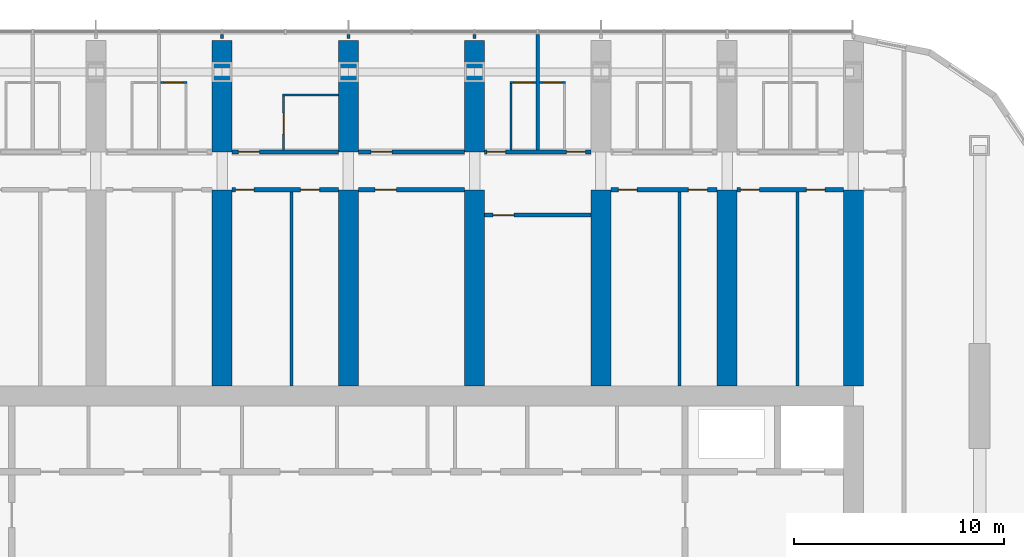
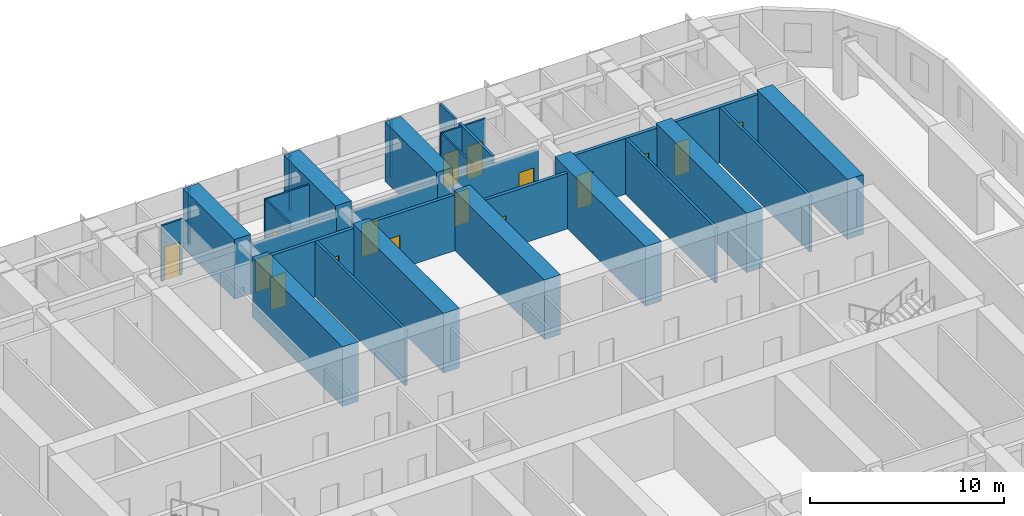
# One storey, part 15 of 22: 30 walls, 16 doors, 16 openings.
"""IFC4 building model written with IfcOpenShell, lengths in metres."""

from ifc_helpers import new_model, si_unit, direction, frame, frame_2d, origin, place, context, subcontext, project, spatial, polyline, rectangle, outline, extrude, material, layer, layer_set, type_object, element, fill, save


model = new_model("IFC4")

# Units and contexts
model_context = context("Model", 3, precision=1e-05, world=origin(), true_north=direction((0.0, 1.0)))
body_context = subcontext(model_context, "Body", "Model", "MODEL_VIEW")
ifc_project = project(units=[si_unit("LENGTHUNIT", "METRE"), si_unit("AREAUNIT", "SQUARE_METRE"), si_unit("VOLUMEUNIT", "CUBIC_METRE"), si_unit("PLANEANGLEUNIT", "RADIAN"), si_unit("MASSUNIT", "GRAM", prefix="KILO")], contexts=[model_context])

# Site, building, storey
site_placement = place(None, origin())
site = spatial("IfcSite", under=ifc_project, at=site_placement, CompositionType="ELEMENT")
building_placement = place(site_placement, origin())
building = spatial("IfcBuilding", under=site, at=building_placement, Name="Orbita Commons", CompositionType="ELEMENT")
storey_placement = place(building_placement, frame((0.0, 0.0, 118.14990234375)))
storey = spatial("IfcBuildingStorey", under=building, at=storey_placement, Name="L29", CompositionType="ELEMENT", Elevation=118.14990234375)

# Wall, opening, door
ifc_material_1 = material(Name="Concrete blockwork", Category="masonry")
ifc_layer_1 = layer(ifc_material_1, 0.199951171875)
ifc_layer_set_1 = layer_set([ifc_layer_1], Name="Concrete blockwork")
wall_type_1 = type_object("IfcWallType", Name="Corridor wall 200 blockwork", PredefinedType="SOLIDWALL", material=ifc_layer_set_1)
wall_1_placement = place(storey_placement, frame((36.47509765625, 49.800048828125, 0.0), z_axis=(0.0, 0.0, 1.0), x_axis=(1.0, 0.0, 0.0)))
wall_1 = element("IfcWall", 1, at=wall_1_placement, inside=storey, type_object=wall_type_1, Name="Corridor wall 200 blockwork L29", PredefinedType="SOLIDWALL", context=body_context, shape_type="SweptSolid", body=[
    extrude(outline(polyline([(0.0, 0.0), (5.0498046875, 0.0), (5.050048828125, 3.10009765625), (0.0, 3.10009765625), (0.0, 0.0)])), frame((0.0, 0.10009765625, 0.0), z_axis=(0.0, -1.0, 0.0), x_axis=(1.0, 0.0, 0.0)), (0.0, 0.0, 1.0), 0.199951171875),
])
opening_1_placement = place(wall_1_placement, frame((0.300048828125, 0.0, 0.0)))
opening_1 = element("IfcOpeningElement", 2, at=opening_1_placement, cuts=wall_1, Name="Opening D06", PredefinedType="OPENING", context=body_context, shape_type="SweptSolid", body=[
    extrude(rectangle(XDim=1.0, YDim=2.10009765625, at=frame_2d((0.5, 1.050048828125))), frame((0.0, 0.10986328125, 0.0), z_axis=(0.0, -1.0, 0.0), x_axis=(1.0, 0.0, 0.0)), (0.0, 0.0, 1.0), 0.219970703125),
])
ifc_material_2 = material(Name="Steel-faced fire door leaf", Category="steel")
door_type_1 = type_object("IfcDoorType", Name="Corridor door 20 min 1000x2100", OperationType="SINGLE_SWING_LEFT", PredefinedType="DOOR", material=ifc_material_2)
door_1_placement = place(opening_1_placement, origin())
door_1 = element("IfcDoor", 3, at=door_1_placement, inside=storey, type_object=door_type_1, Name="Accessible bedroom L29-N08 door", OperationType="SINGLE_SWING_LEFT", OverallHeight=2.10009765625, OverallWidth=1.0, PredefinedType="DOOR", context=body_context, shape_type="SweptSolid", body=[
    extrude(rectangle(XDim=1.0, YDim=2.10009765625, at=frame_2d((0.5, 1.050048828125))), frame((0.0, 0.02490234375, 0.0), z_axis=(0.0, -1.0, 0.0), x_axis=(1.0, 0.0, 0.0)), (0.0, 0.0, 1.0), 0.050048828125),
])
fill(opening_1, door_1)

wall_2_placement = place(storey_placement, frame((42.47509765625, 49.800048828125, 0.0), z_axis=(0.0, 0.0, 1.0), x_axis=(1.0, 0.0, 0.0)))
wall_2 = element("IfcWall", 4, at=wall_2_placement, inside=storey, type_object=wall_type_1, Name="Corridor wall 200 blockwork L29", PredefinedType="SOLIDWALL", context=body_context, shape_type="SweptSolid", body=[
    extrude(outline(polyline([(0.0, 0.0), (5.0498046875, 0.0), (5.050048828125, 3.10009765625), (0.0, 3.10009765625), (0.0, 0.0)])), frame((0.0, 0.10009765625, 0.0), z_axis=(0.0, -1.0, 0.0), x_axis=(1.0, 0.0, 0.0)), (0.0, 0.0, 1.0), 0.199951171875),
])
opening_2_placement = place(wall_2_placement, frame((0.60009765625, 0.0, 0.0)))
opening_2 = element("IfcOpeningElement", 5, at=opening_2_placement, cuts=wall_2, Name="Opening D06", PredefinedType="OPENING", context=body_context, shape_type="SweptSolid", body=[
    extrude(rectangle(XDim=1.0, YDim=2.10009765625, at=frame_2d((0.5, 1.050048828125))), frame((0.0, 0.10986328125, 0.0), z_axis=(0.0, -1.0, 0.0), x_axis=(1.0, 0.0, 0.0)), (0.0, 0.0, 1.0), 0.219970703125),
])
door_2_placement = place(opening_2_placement, origin())
door_2 = element("IfcDoor", 6, at=door_2_placement, inside=storey, type_object=door_type_1, Name="Cluster kitchen-diner L29-N10 door", OperationType="SINGLE_SWING_LEFT", OverallHeight=2.10009765625, OverallWidth=1.0, PredefinedType="DOOR", context=body_context, shape_type="SweptSolid", body=[
    extrude(rectangle(XDim=1.0, YDim=2.10009765625, at=frame_2d((0.5, 1.050048828125))), frame((0.0, 0.02490234375, 0.0), z_axis=(0.0, -1.0, 0.0), x_axis=(1.0, 0.0, 0.0)), (0.0, 0.0, 1.0), 0.050048828125),
])
fill(opening_2, door_2)

# Wall, openings, doors
wall_3_placement = place(storey_placement, frame((48.47509765625, 49.800048828125, 0.0), z_axis=(0.0, 0.0, 1.0), x_axis=(1.0, 0.0, 0.0)))
wall_3 = element("IfcWall", 7, at=wall_3_placement, inside=storey, type_object=wall_type_1, Name="Corridor wall 200 blockwork L29", PredefinedType="SOLIDWALL", context=body_context, shape_type="SweptSolid", body=[
    extrude(outline(polyline([(0.0, 0.0), (5.0498046875, 0.0), (5.050048828125, 3.10009765625), (0.0, 3.10009765625), (0.0, 0.0)])), frame((0.0, 0.10009765625, 0.0), z_axis=(0.0, -1.0, 0.0), x_axis=(1.0, 0.0, 0.0)), (0.0, 0.0, 1.0), 0.199951171875),
])
opening_3_placement = place(wall_3_placement, frame((0.10009765625, 0.0, 0.0)))
opening_3 = element("IfcOpeningElement", 8, at=opening_3_placement, cuts=wall_3, Name="Opening D11", PredefinedType="OPENING", context=body_context, shape_type="SweptSolid", body=[
    extrude(rectangle(XDim=0.89990234375, YDim=2.10009765625, at=frame_2d((0.449951171875, 1.050048828125))), frame((0.0, 0.10986328125, 0.0), z_axis=(0.0, -1.0, 0.0), x_axis=(1.0, 0.0, 0.0)), (0.0, 0.0, 1.0), 0.219970703125),
])
opening_4_placement = place(wall_3_placement, frame((3.89990234375, 0.0, 0.0)))
opening_4 = element("IfcOpeningElement", 9, at=opening_4_placement, cuts=wall_3, Name="Opening D11", PredefinedType="OPENING", context=body_context, shape_type="SweptSolid", body=[
    extrude(rectangle(XDim=0.89990234375, YDim=2.10009765625, at=frame_2d((0.449951171875, 1.050048828125))), frame((0.0, 0.10986328125, 0.0), z_axis=(0.0, -1.0, 0.0), x_axis=(1.0, 0.0, 0.0)), (0.0, 0.0, 1.0), 0.219970703125),
])
ifc_material_3 = material(Name="Steel-faced fire door leaf", Category="steel")
door_type_2 = type_object("IfcDoorType", Name="Corridor door 20 min 900x2100", OperationType="SINGLE_SWING_LEFT", PredefinedType="DOOR", material=ifc_material_3)
door_3_placement = place(opening_3_placement, origin())
door_3 = element("IfcDoor", 10, at=door_3_placement, inside=storey, type_object=door_type_2, Name="Cluster bedroom L29-N12 door", OperationType="SINGLE_SWING_LEFT", OverallHeight=2.10009765625, OverallWidth=0.89990234375, PredefinedType="DOOR", context=body_context, shape_type="SweptSolid", body=[
    extrude(rectangle(XDim=0.89990234375, YDim=2.10009765625, at=frame_2d((0.449951171875, 1.050048828125))), frame((0.0, 0.02490234375, 0.0), z_axis=(0.0, -1.0, 0.0), x_axis=(1.0, 0.0, 0.0)), (0.0, 0.0, 1.0), 0.050048828125),
])
fill(opening_3, door_3)
door_4_placement = place(opening_4_placement, origin())
door_4 = element("IfcDoor", 11, at=door_4_placement, inside=storey, type_object=door_type_2, Name="Cluster bedroom L29-N13 door", OperationType="SINGLE_SWING_LEFT", OverallHeight=2.10009765625, OverallWidth=0.89990234375, PredefinedType="DOOR", context=body_context, shape_type="SweptSolid", body=[
    extrude(rectangle(XDim=0.89990234375, YDim=2.10009765625, at=frame_2d((0.449951171875, 1.050048828125))), frame((0.0, 0.02490234375, 0.0), z_axis=(0.0, -1.0, 0.0), x_axis=(1.0, 0.0, 0.0)), (0.0, 0.0, 1.0), 0.050048828125),
])
fill(opening_4, door_4)

ifc_material_4 = material(Name="Hollow concrete block 200", Category="concrete")
ifc_layer_2 = layer(ifc_material_4, 0.199951171875)
ifc_layer_set_2 = layer_set([ifc_layer_2], Name="Hollow concrete block 200")
wall_type_2 = type_object("IfcWallType", Name="Corridor wall 200 hollow concrete block", PredefinedType="SOLIDWALL", material=ifc_layer_set_2)
wall_4_placement = place(storey_placement, frame((36.47509765625, 48.0, 0.0), z_axis=(0.0, 0.0, 1.0), x_axis=(1.0, 0.0, 0.0)))
wall_4 = element("IfcWall", 12, at=wall_4_placement, inside=storey, type_object=wall_type_2, Name="Corridor wall 200 hollow concrete block L29", PredefinedType="SOLIDWALL", context=body_context, shape_type="SweptSolid", body=[
    extrude(rectangle(XDim=5.0498046875, YDim=0.199951171875, at=frame_2d((2.52490234375, 0.0))), origin(), (0.0, 0.0, 1.0), 3.5),
])
opening_5_placement = place(wall_4_placement, frame((0.14990234375, 0.0, 0.0)))
opening_5 = element("IfcOpeningElement", 13, at=opening_5_placement, cuts=wall_4, Name="Opening D11", PredefinedType="OPENING", context=body_context, shape_type="SweptSolid", body=[
    extrude(rectangle(XDim=0.89990234375, YDim=2.10009765625, at=frame_2d((0.449951171875, 1.050048828125))), frame((0.0, 0.10986328125, 0.0), z_axis=(0.0, -1.0, 0.0), x_axis=(1.0, 0.0, 0.0)), (0.0, 0.0, 1.0), 0.219970703125),
])
opening_6_placement = place(wall_4_placement, frame((3.2548828125, 0.0, 0.0)))
opening_6 = element("IfcOpeningElement", 14, at=opening_6_placement, cuts=wall_4, Name="Opening D11", PredefinedType="OPENING", context=body_context, shape_type="SweptSolid", body=[
    extrude(rectangle(XDim=0.89990234375, YDim=2.10009765625, at=frame_2d((0.449951171875, 1.050048828125))), frame((0.0, 0.10986328125, 0.0), z_axis=(0.0, -1.0, 0.0), x_axis=(1.0, 0.0, 0.0)), (0.0, 0.0, 1.0), 0.219970703125),
])
door_5_placement = place(opening_5_placement, origin())
door_5 = element("IfcDoor", 15, at=door_5_placement, inside=storey, type_object=door_type_2, Name="Electrical and data room L29-BDN36 door", OperationType="SINGLE_SWING_LEFT", OverallHeight=2.10009765625, OverallWidth=0.89990234375, PredefinedType="DOOR", context=body_context, shape_type="SweptSolid", body=[
    extrude(rectangle(XDim=0.89990234375, YDim=2.10009765625, at=frame_2d((0.449951171875, 1.050048828125))), frame((0.0, 0.02490234375, 0.0), z_axis=(0.0, -1.0, 0.0), x_axis=(1.0, 0.0, 0.0)), (0.0, 0.0, 1.0), 0.050048828125),
])
fill(opening_5, door_5)
door_6_placement = place(opening_6_placement, origin())
door_6 = element("IfcDoor", 16, at=door_6_placement, inside=storey, type_object=door_type_2, Name="Water heater cupboard L29-BDN36n door", OperationType="SINGLE_SWING_LEFT", OverallHeight=2.10009765625, OverallWidth=0.89990234375, PredefinedType="DOOR", context=body_context, shape_type="SweptSolid", body=[
    extrude(rectangle(XDim=0.89990234375, YDim=2.10009765625, at=frame_2d((0.449951171875, 1.050048828125))), frame((0.0, 0.02490234375, 0.0), z_axis=(0.0, -1.0, 0.0), x_axis=(1.0, 0.0, 0.0)), (0.0, 0.0, 1.0), 0.050048828125),
])
fill(opening_6, door_6)

# Wall, opening, door
wall_5_placement = place(storey_placement, frame((42.47509765625, 48.0, 0.0), z_axis=(0.0, 0.0, 1.0), x_axis=(1.0, 0.0, 0.0)))
wall_5 = element("IfcWall", 17, at=wall_5_placement, inside=storey, type_object=wall_type_2, Name="Corridor wall 200 hollow concrete block L29", PredefinedType="SOLIDWALL", context=body_context, shape_type="SweptSolid", body=[
    extrude(rectangle(XDim=5.0498046875, YDim=0.199951171875, at=frame_2d((2.52490234375, 0.0))), origin(), (0.0, 0.0, 1.0), 3.5),
])
opening_7_placement = place(wall_5_placement, frame((0.800048828125, 0.0, 0.0)))
opening_7 = element("IfcOpeningElement", 18, at=opening_7_placement, cuts=wall_5, Name="Opening D06", PredefinedType="OPENING", context=body_context, shape_type="SweptSolid", body=[
    extrude(rectangle(XDim=1.0, YDim=2.10009765625, at=frame_2d((0.5, 1.050048828125))), frame((0.0, 0.10986328125, 0.0), z_axis=(0.0, -1.0, 0.0), x_axis=(1.0, 0.0, 0.0)), (0.0, 0.0, 1.0), 0.219970703125),
])
door_7_placement = place(opening_7_placement, origin())
door_7 = element("IfcDoor", 19, at=door_7_placement, inside=storey, type_object=door_type_1, Name="Storage lockers L29-BDN42 door", OperationType="SINGLE_SWING_LEFT", OverallHeight=2.10009765625, OverallWidth=1.0, PredefinedType="DOOR", context=body_context, shape_type="SweptSolid", body=[
    extrude(rectangle(XDim=1.0, YDim=2.10009765625, at=frame_2d((0.5, 1.050048828125))), frame((0.0, 0.02490234375, 0.0), z_axis=(0.0, -1.0, 0.0), x_axis=(1.0, 0.0, 0.0)), (0.0, 0.0, 1.0), 0.050048828125),
])
fill(opening_7, door_7)

# Wall, openings, doors
wall_6_placement = place(storey_placement, frame((54.47509765625, 48.0, 0.0), z_axis=(0.0, 0.0, 1.0), x_axis=(1.0, 0.0, 0.0)))
wall_6 = element("IfcWall", 20, at=wall_6_placement, inside=storey, type_object=wall_type_2, Name="Corridor wall 200 hollow concrete block L29", PredefinedType="SOLIDWALL", context=body_context, shape_type="SweptSolid", body=[
    extrude(rectangle(XDim=5.0498046875, YDim=0.199951171875, at=frame_2d((2.52490234375, 0.0))), origin(), (0.0, 0.0, 1.0), 3.5),
])
opening_8_placement = place(wall_6_placement, frame((0.35009765625, 0.0, 0.0)))
opening_8 = element("IfcOpeningElement", 21, at=opening_8_placement, cuts=wall_6, Name="Opening D11", PredefinedType="OPENING", context=body_context, shape_type="SweptSolid", body=[
    extrude(rectangle(XDim=0.89990234375, YDim=2.10009765625, at=frame_2d((0.449951171875, 1.050048828125))), frame((0.0, 0.10986328125, 0.0), z_axis=(0.0, -1.0, 0.0), x_axis=(1.0, 0.0, 0.0)), (0.0, 0.0, 1.0), 0.219970703125),
])
opening_9_placement = place(wall_6_placement, frame((3.68505859375, 0.0, 0.0)))
opening_9 = element("IfcOpeningElement", 22, at=opening_9_placement, cuts=wall_6, Name="Opening D11", PredefinedType="OPENING", context=body_context, shape_type="SweptSolid", body=[
    extrude(rectangle(XDim=0.89990234375, YDim=2.10009765625, at=frame_2d((0.449951171875, 1.050048828125))), frame((0.0, 0.10986328125, 0.0), z_axis=(0.0, -1.0, 0.0), x_axis=(1.0, 0.0, 0.0)), (0.0, 0.0, 1.0), 0.219970703125),
])
door_8_placement = place(opening_8_placement, origin())
door_8 = element("IfcDoor", 23, at=door_8_placement, inside=storey, type_object=door_type_2, Name="Ventilation plant room north L29-BDN54 door", OperationType="SINGLE_SWING_LEFT", OverallHeight=2.10009765625, OverallWidth=0.89990234375, PredefinedType="DOOR", context=body_context, shape_type="SweptSolid", body=[
    extrude(rectangle(XDim=0.89990234375, YDim=2.10009765625, at=frame_2d((0.449951171875, 1.050048828125))), frame((0.0, 0.02490234375, 0.0), z_axis=(0.0, -1.0, 0.0), x_axis=(1.0, 0.0, 0.0)), (0.0, 0.0, 1.0), 0.050048828125),
])
fill(opening_8, door_8)
door_9_placement = place(opening_9_placement, origin())
door_9 = element("IfcDoor", 24, at=door_9_placement, inside=storey, type_object=door_type_2, Name="Battery and UPS room L29-BDN54n door", OperationType="SINGLE_SWING_LEFT", OverallHeight=2.10009765625, OverallWidth=0.89990234375, PredefinedType="DOOR", context=body_context, shape_type="SweptSolid", body=[
    extrude(rectangle(XDim=0.89990234375, YDim=2.10009765625, at=frame_2d((0.449951171875, 1.050048828125))), frame((0.0, 0.02490234375, 0.0), z_axis=(0.0, -1.0, 0.0), x_axis=(1.0, 0.0, 0.0)), (0.0, 0.0, 1.0), 0.050048828125),
])
fill(opening_9, door_9)

wall_7_placement = place(storey_placement, frame((60.47509765625, 48.0, 0.0), z_axis=(0.0, 0.0, 1.0), x_axis=(1.0, 0.0, 0.0)))
wall_7 = element("IfcWall", 25, at=wall_7_placement, inside=storey, type_object=wall_type_2, Name="Corridor wall 200 hollow concrete block L29", PredefinedType="SOLIDWALL", context=body_context, shape_type="SweptSolid", body=[
    extrude(rectangle(XDim=5.0498046875, YDim=0.199951171875, at=frame_2d((2.52490234375, 0.0))), origin(), (0.0, 0.0, 1.0), 3.5),
])
opening_10_placement = place(wall_7_placement, frame((0.14990234375, 0.0, 0.0)))
opening_10 = element("IfcOpeningElement", 26, at=opening_10_placement, cuts=wall_7, Name="Opening D11", PredefinedType="OPENING", context=body_context, shape_type="SweptSolid", body=[
    extrude(rectangle(XDim=0.89990234375, YDim=2.10009765625, at=frame_2d((0.449951171875, 1.050048828125))), frame((0.0, 0.10986328125, 0.0), z_axis=(0.0, -1.0, 0.0), x_axis=(1.0, 0.0, 0.0)), (0.0, 0.0, 1.0), 0.219970703125),
])
opening_11_placement = place(wall_7_placement, frame((3.284912109375, 0.0, 0.0)))
opening_11 = element("IfcOpeningElement", 27, at=opening_11_placement, cuts=wall_7, Name="Opening D11", PredefinedType="OPENING", context=body_context, shape_type="SweptSolid", body=[
    extrude(rectangle(XDim=0.89990234375, YDim=2.10009765625, at=frame_2d((0.449951171875, 1.050048828125))), frame((0.0, 0.10986328125, 0.0), z_axis=(0.0, -1.0, 0.0), x_axis=(1.0, 0.0, 0.0)), (0.0, 0.0, 1.0), 0.219970703125),
])
door_10_placement = place(opening_10_placement, origin())
door_10 = element("IfcDoor", 28, at=door_10_placement, inside=storey, type_object=door_type_2, Name="Parcel and post room L29-BDN60 door", OperationType="SINGLE_SWING_LEFT", OverallHeight=2.10009765625, OverallWidth=0.89990234375, PredefinedType="DOOR", context=body_context, shape_type="SweptSolid", body=[
    extrude(rectangle(XDim=0.89990234375, YDim=2.10009765625, at=frame_2d((0.449951171875, 1.050048828125))), frame((0.0, 0.02490234375, 0.0), z_axis=(0.0, -1.0, 0.0), x_axis=(1.0, 0.0, 0.0)), (0.0, 0.0, 1.0), 0.050048828125),
])
fill(opening_10, door_10)
door_11_placement = place(opening_11_placement, origin())
door_11 = element("IfcDoor", 29, at=door_11_placement, inside=storey, type_object=door_type_2, Name="Sprinkler valve room L29-BDN60n door", OperationType="SINGLE_SWING_LEFT", OverallHeight=2.10009765625, OverallWidth=0.89990234375, PredefinedType="DOOR", context=body_context, shape_type="SweptSolid", body=[
    extrude(rectangle(XDim=0.89990234375, YDim=2.10009765625, at=frame_2d((0.449951171875, 1.050048828125))), frame((0.0, 0.02490234375, 0.0), z_axis=(0.0, -1.0, 0.0), x_axis=(1.0, 0.0, 0.0)), (0.0, 0.0, 1.0), 0.050048828125),
])
fill(opening_11, door_11)

# Wall, opening, door
wall_8_placement = place(storey_placement, frame((48.47509765625, 46.800048828125, 0.0), z_axis=(0.0, 0.0, 1.0), x_axis=(1.0, 0.0, 0.0)))
wall_8 = element("IfcWall", 30, at=wall_8_placement, inside=storey, type_object=wall_type_2, Name="Corridor wall 200 hollow concrete block L29", PredefinedType="SOLIDWALL", context=body_context, shape_type="SweptSolid", body=[
    extrude(rectangle(XDim=5.0498046875, YDim=0.199951171875, at=frame_2d((2.52490234375, 0.0))), origin(), (0.0, 0.0, 1.0), 3.5),
])
opening_12_placement = place(wall_8_placement, frame((0.39990234375, 0.0, 0.0)))
opening_12 = element("IfcOpeningElement", 31, at=opening_12_placement, cuts=wall_8, Name="Opening D06", PredefinedType="OPENING", context=body_context, shape_type="SweptSolid", body=[
    extrude(rectangle(XDim=1.0, YDim=2.10009765625, at=frame_2d((0.5, 1.050048828125))), frame((0.0, 0.10986328125, 0.0), z_axis=(0.0, -1.0, 0.0), x_axis=(1.0, 0.0, 0.0)), (0.0, 0.0, 1.0), 0.219970703125),
])
door_12_placement = place(opening_12_placement, origin())
door_12 = element("IfcDoor", 32, at=door_12_placement, inside=storey, type_object=door_type_1, Name="Store L29-BDN48 door", OperationType="SINGLE_SWING_LEFT", OverallHeight=2.10009765625, OverallWidth=1.0, PredefinedType="DOOR", context=body_context, shape_type="SweptSolid", body=[
    extrude(rectangle(XDim=1.0, YDim=2.10009765625, at=frame_2d((0.5, 1.050048828125))), frame((0.0, 0.02490234375, 0.0), z_axis=(0.0, -1.0, 0.0), x_axis=(1.0, 0.0, 0.0)), (0.0, 0.0, 1.0), 0.050048828125),
])
fill(opening_12, door_12)

# Walls
ifc_material_5 = material(Name="Concrete C50/60", Category="concrete")
ifc_layer_3 = layer(ifc_material_5, 0.949951171875)
ifc_layer_set_3 = layer_set([ifc_layer_3], Name="Concrete C50/60")
wall_type_3 = type_object("IfcWallType", Name="Cross wall 950 C50/60", PredefinedType="SHEAR", material=ifc_layer_set_3)
wall_9_placement = place(storey_placement, frame((36.0, 49.800048828125, 0.0), z_axis=(0.0, 0.0, 1.0), x_axis=(0.0, 1.0, 0.0)))
element("IfcWall", 33, at=wall_9_placement, inside=storey, type_object=wall_type_3, Name="Cross wall 7 north outer L29", PredefinedType="SHEAR", context=body_context, shape_type="SweptSolid", body=[
    extrude(rectangle(XDim=5.300048828125, YDim=0.949951171875, at=frame_2d((2.64990234375, 0.0))), origin(), (0.0, 0.0, 1.0), 3.75),
])
wall_10_placement = place(storey_placement, frame((36.0, 38.675048828125, 0.0), z_axis=(0.0, 0.0, 1.0), x_axis=(0.0, 1.0, 0.0)))
element("IfcWall", 34, at=wall_10_placement, inside=storey, type_object=wall_type_3, Name="Cross wall 7 north inner L29", PredefinedType="SHEAR", context=body_context, shape_type="SweptSolid", body=[
    extrude(rectangle(XDim=9.324951171875, YDim=0.949951171875, at=frame_2d((4.66259765625, 0.0))), origin(), (0.0, 0.0, 1.0), 3.75),
])
wall_11_placement = place(storey_placement, frame((42.0, 49.800048828125, 0.0), z_axis=(0.0, 0.0, 1.0), x_axis=(0.0, 1.0, 0.0)))
element("IfcWall", 35, at=wall_11_placement, inside=storey, type_object=wall_type_3, Name="Cross wall 8 north outer L29", PredefinedType="SHEAR", context=body_context, shape_type="SweptSolid", body=[
    extrude(rectangle(XDim=5.300048828125, YDim=0.949951171875, at=frame_2d((2.64990234375, 0.0))), origin(), (0.0, 0.0, 1.0), 3.75),
])
wall_12_placement = place(storey_placement, frame((42.0, 38.675048828125, 0.0), z_axis=(0.0, 0.0, 1.0), x_axis=(0.0, 1.0, 0.0)))
element("IfcWall", 36, at=wall_12_placement, inside=storey, type_object=wall_type_3, Name="Cross wall 8 north inner L29", PredefinedType="SHEAR", context=body_context, shape_type="SweptSolid", body=[
    extrude(rectangle(XDim=9.324951171875, YDim=0.949951171875, at=frame_2d((4.66259765625, 0.0))), origin(), (0.0, 0.0, 1.0), 3.75),
])
wall_13_placement = place(storey_placement, frame((48.0, 49.800048828125, 0.0), z_axis=(0.0, 0.0, 1.0), x_axis=(0.0, 1.0, 0.0)))
element("IfcWall", 37, at=wall_13_placement, inside=storey, type_object=wall_type_3, Name="Cross wall 9 north outer L29", PredefinedType="SHEAR", context=body_context, shape_type="SweptSolid", body=[
    extrude(rectangle(XDim=5.300048828125, YDim=0.949951171875, at=frame_2d((2.64990234375, 0.0))), origin(), (0.0, 0.0, 1.0), 3.75),
])
for number, where, z_axis, x_axis, name in (
    (38, (48.0, 38.675048828125, 0.0), (0.0, 0.0, 1.0), (0.0, 1.0, 0.0), "Cross wall 9 north inner L29"),
    (39, (54.0, 38.675048828125, 0.0), (0.0, 0.0, 1.0), (0.0, 1.0, 0.0), "Cross wall 10 north inner L29"),
    (40, (60.0, 38.675048828125, 0.0), (0.0, 0.0, 1.0), (0.0, 1.0, 0.0), "Cross wall 11 north inner L29"),
    (41, (66.0, 38.675048828125, 0.0), (0.0, 0.0, 1.0), (0.0, 1.0, 0.0), "Cross wall 12 north inner L29"),
):
    element("IfcWall", number, at=place(storey_placement, frame(where, z_axis=z_axis, x_axis=x_axis)), inside=storey, type_object=wall_type_3, Name=name, PredefinedType="SHEAR", context=body_context, shape_type="SweptSolid", body=[
        extrude(rectangle(XDim=9.324951171875, YDim=0.949951171875, at=frame_2d((4.66259765625, 0.0))), origin(), (0.0, 0.0, 1.0), 3.75),
    ])

# Wall, opening, door
ifc_material_6 = material(Name="Moisture-resistant plasterboard on steel studs", Category="steel")
ifc_layer_4 = layer(ifc_material_6, 0.10009765625)
ifc_layer_set_4 = layer_set([ifc_layer_4], Name="Moisture-resistant plasterboard on steel studs")
wall_type_4 = type_object("IfcWallType", Name="En-suite partition 100", PredefinedType="PARTITIONING", material=ifc_layer_set_4)
wall_14_placement = place(storey_placement, frame((33.074951171875, 53.10009765625, 0.0), z_axis=(0.0, 0.0, 1.0), x_axis=(1.0, 0.0, 0.0)))
wall_14 = element("IfcWall", 42, at=wall_14_placement, inside=storey, type_object=wall_type_4, Name="En-suite partition 100 L29", PredefinedType="PARTITIONING", context=body_context, shape_type="SweptSolid", body=[
    extrude(rectangle(XDim=1.25, YDim=0.10009765625, at=frame_2d((0.625, 0.0))), origin(), (0.0, 0.0, 1.0), 3.5),
])
opening_13_placement = place(wall_14_placement, frame((0.175048828125, 0.0, 0.0)))
opening_13 = element("IfcOpeningElement", 43, at=opening_13_placement, cuts=wall_14, Name="Opening D09", PredefinedType="OPENING", context=body_context, shape_type="SweptSolid", body=[
    extrude(rectangle(XDim=0.89990234375, YDim=2.10009765625, at=frame_2d((0.449951171875, 1.050048828125))), frame((0.0, 0.06005859375, 0.0), z_axis=(0.0, -1.0, 0.0), x_axis=(1.0, 0.0, 0.0)), (0.0, 0.0, 1.0), 0.1201171875),
])
ifc_material_7 = material(Name="Laminated timber door leaf", Category="wood")
door_type_3 = type_object("IfcDoorType", Name="En-suite door 900x2100", OperationType="SINGLE_SWING_RIGHT", PredefinedType="DOOR", material=ifc_material_7)
door_13_placement = place(opening_13_placement, origin())
door_13 = element("IfcDoor", 44, at=door_13_placement, inside=storey, type_object=door_type_3, Name="En-suite L29-N07 door", OperationType="SINGLE_SWING_RIGHT", OverallHeight=2.10009765625, OverallWidth=0.89990234375, PredefinedType="DOOR", context=body_context, shape_type="SweptSolid", body=[
    extrude(rectangle(XDim=0.89990234375, YDim=2.10009765625, at=frame_2d((0.449951171875, 1.050048828125))), frame((0.0, 0.02490234375, 0.0), z_axis=(0.0, -1.0, 0.0), x_axis=(1.0, 0.0, 0.0)), (0.0, 0.0, 1.0), 0.050048828125),
])
fill(opening_13, door_13)

# Wall
wall_15_placement = place(storey_placement, frame((38.875, 52.5, 0.0), z_axis=(0.0, 0.0, 1.0), x_axis=(1.0, 0.0, 0.0)))
element("IfcWall", 45, at=wall_15_placement, inside=storey, type_object=wall_type_4, Name="En-suite partition 100 L29", PredefinedType="PARTITIONING", context=body_context, shape_type="SweptSolid", body=[
    extrude(rectangle(XDim=2.64990234375, YDim=0.10009765625, at=frame_2d((1.324951171875, 0.0))), origin(), (0.0, 0.0, 1.0), 3.5),
])

# Wall, opening, door
wall_16_placement = place(storey_placement, frame((38.925048828125, 52.449951171875, 0.0), z_axis=(0.0, 0.0, 1.0), x_axis=(0.0, -1.0, 0.0)))
wall_16 = element("IfcWall", 46, at=wall_16_placement, inside=storey, type_object=wall_type_4, Name="En-suite partition 100 L29", PredefinedType="PARTITIONING", context=body_context, shape_type="SweptSolid", body=[
    extrude(outline(polyline([(0.0, 0.0), (2.550048828125, 0.0), (2.550048828125, 3.10009765625), (2.501953125, 3.10009765625), (2.5, 3.5), (0.0, 3.5), (0.0, 0.0)])), frame((0.0, 0.050048828125, 0.0), z_axis=(0.0, -1.0, 0.0), x_axis=(1.0, 0.0, 0.0)), (0.0, 0.0, 1.0), 0.10009765625),
])
opening_14_placement = place(wall_16_placement, frame((0.800048828125, 0.0, 0.0)))
opening_14 = element("IfcOpeningElement", 47, at=opening_14_placement, cuts=wall_16, Name="Opening D13", PredefinedType="OPENING", context=body_context, shape_type="SweptSolid", body=[
    extrude(rectangle(XDim=1.0, YDim=2.10009765625, at=frame_2d((0.5, 1.050048828125))), frame((0.0, 0.06005859375, 0.0), z_axis=(0.0, -1.0, 0.0), x_axis=(1.0, 0.0, 0.0)), (0.0, 0.0, 1.0), 0.1201171875),
])
ifc_material_8 = material(Name="Laminated timber door leaf", Category="wood")
door_type_4 = type_object("IfcDoorType", Name="En-suite door 1000x2100", OperationType="SINGLE_SWING_RIGHT", PredefinedType="DOOR", material=ifc_material_8)
door_14_placement = place(opening_14_placement, origin())
door_14 = element("IfcDoor", 48, at=door_14_placement, inside=storey, type_object=door_type_4, Name="Accessible shower room L29-N08 door", OperationType="SINGLE_SWING_RIGHT", OverallHeight=2.10009765625, OverallWidth=1.0, PredefinedType="DOOR", context=body_context, shape_type="SweptSolid", body=[
    extrude(rectangle(XDim=1.0, YDim=2.10009765625, at=frame_2d((0.5, 1.050048828125))), frame((0.0, 0.02490234375, 0.0), z_axis=(0.0, -1.0, 0.0), x_axis=(1.0, 0.0, 0.0)), (0.0, 0.0, 1.0), 0.050048828125),
])
fill(opening_14, door_14)

wall_17_placement = place(storey_placement, frame((49.675048828125, 53.10009765625, 0.0), z_axis=(0.0, 0.0, 1.0), x_axis=(1.0, 0.0, 0.0)))
wall_17 = element("IfcWall", 49, at=wall_17_placement, inside=storey, type_object=wall_type_4, Name="En-suite partition 100 L29", PredefinedType="PARTITIONING", context=body_context, shape_type="SweptSolid", body=[
    extrude(rectangle(XDim=1.25, YDim=0.10009765625, at=frame_2d((0.625, 0.0))), origin(), (0.0, 0.0, 1.0), 3.5),
])
opening_15_placement = place(wall_17_placement, frame((0.175048828125, 0.0, 0.0)))
opening_15 = element("IfcOpeningElement", 50, at=opening_15_placement, cuts=wall_17, Name="Opening D09", PredefinedType="OPENING", context=body_context, shape_type="SweptSolid", body=[
    extrude(rectangle(XDim=0.89990234375, YDim=2.10009765625, at=frame_2d((0.449951171875, 1.050048828125))), frame((0.0, 0.06005859375, 0.0), z_axis=(0.0, -1.0, 0.0), x_axis=(1.0, 0.0, 0.0)), (0.0, 0.0, 1.0), 0.1201171875),
])
door_15_placement = place(opening_15_placement, origin())
door_15 = element("IfcDoor", 51, at=door_15_placement, inside=storey, type_object=door_type_3, Name="En-suite L29-N12 door", OperationType="SINGLE_SWING_RIGHT", OverallHeight=2.10009765625, OverallWidth=0.89990234375, PredefinedType="DOOR", context=body_context, shape_type="SweptSolid", body=[
    extrude(rectangle(XDim=0.89990234375, YDim=2.10009765625, at=frame_2d((0.449951171875, 1.050048828125))), frame((0.0, 0.02490234375, 0.0), z_axis=(0.0, -1.0, 0.0), x_axis=(1.0, 0.0, 0.0)), (0.0, 0.0, 1.0), 0.050048828125),
])
fill(opening_15, door_15)

# Wall
wall_18_placement = place(storey_placement, frame((49.72509765625, 53.050048828125, 0.0), z_axis=(0.0, 0.0, 1.0), x_axis=(0.0, -1.0, 0.0)))
element("IfcWall", 52, at=wall_18_placement, inside=storey, type_object=wall_type_4, Name="En-suite partition 100 L29", PredefinedType="PARTITIONING", context=body_context, shape_type="SweptSolid", body=[
    extrude(outline(polyline([(0.0, 0.0), (3.150146484375, 0.0), (3.14990234375, 3.10009765625), (3.10205078125, 3.10009765625), (3.10009765625, 3.5), (0.0, 3.5), (0.0, 0.0)])), frame((0.0, 0.050048828125, 0.0), z_axis=(0.0, -1.0, 0.0), x_axis=(1.0, 0.0, 0.0)), (0.0, 0.0, 1.0), 0.10009765625),
])

# Wall, opening, door
wall_19_placement = place(storey_placement, frame((51.074951171875, 53.10009765625, 0.0), z_axis=(0.0, 0.0, 1.0), x_axis=(1.0, 0.0, 0.0)))
wall_19 = element("IfcWall", 53, at=wall_19_placement, inside=storey, type_object=wall_type_4, Name="En-suite partition 100 L29", PredefinedType="PARTITIONING", context=body_context, shape_type="SweptSolid", body=[
    extrude(rectangle(XDim=1.25, YDim=0.10009765625, at=frame_2d((0.625, 0.0))), origin(), (0.0, 0.0, 1.0), 3.5),
])
opening_16_placement = place(wall_19_placement, frame((0.175048828125, 0.0, 0.0)))
opening_16 = element("IfcOpeningElement", 54, at=opening_16_placement, cuts=wall_19, Name="Opening D09", PredefinedType="OPENING", context=body_context, shape_type="SweptSolid", body=[
    extrude(rectangle(XDim=0.89990234375, YDim=2.10009765625, at=frame_2d((0.449951171875, 1.050048828125))), frame((0.0, 0.06005859375, 0.0), z_axis=(0.0, -1.0, 0.0), x_axis=(1.0, 0.0, 0.0)), (0.0, 0.0, 1.0), 0.1201171875),
])
door_16_placement = place(opening_16_placement, origin())
door_16 = element("IfcDoor", 55, at=door_16_placement, inside=storey, type_object=door_type_3, Name="En-suite L29-N13 door", OperationType="SINGLE_SWING_RIGHT", OverallHeight=2.10009765625, OverallWidth=0.89990234375, PredefinedType="DOOR", context=body_context, shape_type="SweptSolid", body=[
    extrude(rectangle(XDim=0.89990234375, YDim=2.10009765625, at=frame_2d((0.449951171875, 1.050048828125))), frame((0.0, 0.02490234375, 0.0), z_axis=(0.0, -1.0, 0.0), x_axis=(1.0, 0.0, 0.0)), (0.0, 0.0, 1.0), 0.050048828125),
])
fill(opening_16, door_16)

# Walls
ifc_material_9 = material(Name="Gypsum plasterboard on steel studs", Category="steel")
ifc_layer_5 = layer(ifc_material_9, 0.14990234375)
ifc_layer_set_5 = layer_set([ifc_layer_5], Name="Gypsum plasterboard on steel studs")
wall_type_5 = type_object("IfcWallType", Name="Partition 150 plasterboard", PredefinedType="PARTITIONING", material=ifc_layer_set_5)
for number, where, z_axis, x_axis, name in (
    (56, (39.304931640625, 38.675048828125, 0.0), (0.0, 0.0, 1.0), (0.0, 1.0, 0.0), "Partition 150 plasterboard L29"),
    (57, (57.735107421875, 38.675048828125, 0.0), (0.0, 0.0, 1.0), (0.0, 1.0, 0.0), "Partition 150 plasterboard L29"),
    (58, (63.3349609375, 38.675048828125, 0.0), (0.0, 0.0, 1.0), (0.0, 1.0, 0.0), "Partition 150 plasterboard L29"),
):
    element("IfcWall", number, at=place(storey_placement, frame(where, z_axis=z_axis, x_axis=x_axis)), inside=storey, type_object=wall_type_5, Name=name, PredefinedType="PARTITIONING", context=body_context, shape_type="SweptSolid", body=[
        extrude(rectangle(XDim=9.224853515625, YDim=0.14990234375, at=frame_2d((4.6123046875, 0.0))), origin(), (0.0, 0.0, 1.0), 3.5),
    ])
for number, where, z_axis, x_axis, name in (
    (59, (36.0, 55.199951171875, 0.0), (0.0, 0.0, 1.0), (0.0, 1.0, 0.0), "Partition 150 plasterboard L29"),
    (60, (42.0, 55.199951171875, 0.0), (0.0, 0.0, 1.0), (0.0, 1.0, 0.0), "Partition 150 plasterboard L29"),
    (61, (48.0, 55.199951171875, 0.0), (0.0, 0.0, 1.0), (0.0, 1.0, 0.0), "Partition 150 plasterboard L29"),
):
    element("IfcWall", number, at=place(storey_placement, frame(where, z_axis=z_axis, x_axis=x_axis)), inside=storey, type_object=wall_type_5, Name=name, PredefinedType="PARTITIONING", context=body_context, shape_type="SweptSolid", body=[
        extrude(rectangle(XDim=0.18994140625, YDim=0.14990234375, at=frame_2d((0.094970703125, 0.0))), origin(), (0.0, 0.0, 1.0), 3.5),
    ])
ifc_material_10 = material(Name="Gypsum plasterboard on steel studs", Category="steel")
ifc_layer_6 = layer(ifc_material_10, 0.14990234375)
ifc_layer_set_6 = layer_set([ifc_layer_6], Name="Gypsum plasterboard on steel studs")
wall_type_6 = type_object("IfcWallType", Name="Party wall 150 plasterboard", PredefinedType="PARTITIONING", material=ifc_layer_set_6)
wall_20_placement = place(storey_placement, frame((51.0, 55.389892578125, 0.0), z_axis=(0.0, 0.0, 1.0), x_axis=(0.0, -1.0, 0.0)))
element("IfcWall", 62, at=wall_20_placement, inside=storey, type_object=wall_type_6, Name="Party wall 150 plasterboard L29", PredefinedType="PARTITIONING", context=body_context, shape_type="SweptSolid", body=[
    extrude(outline(polyline([(0.0, 0.0), (5.489990234375, 0.0), (5.489990234375, 3.10009765625), (5.44189453125, 3.10009765625), (5.43994140625, 3.5), (1.991943359375, 3.5), (1.989990234375, 3.10009765625), (1.592041015625, 3.10009765625), (1.590087890625, 3.5), (0.0, 3.5), (0.0, 0.0)])), frame((0.0, 0.074951171875, 0.0), z_axis=(0.0, -1.0, 0.0), x_axis=(1.0, 0.0, 0.0)), (0.0, 0.0, 1.0), 0.14990234375),
])

save(model, "model.ifc")
